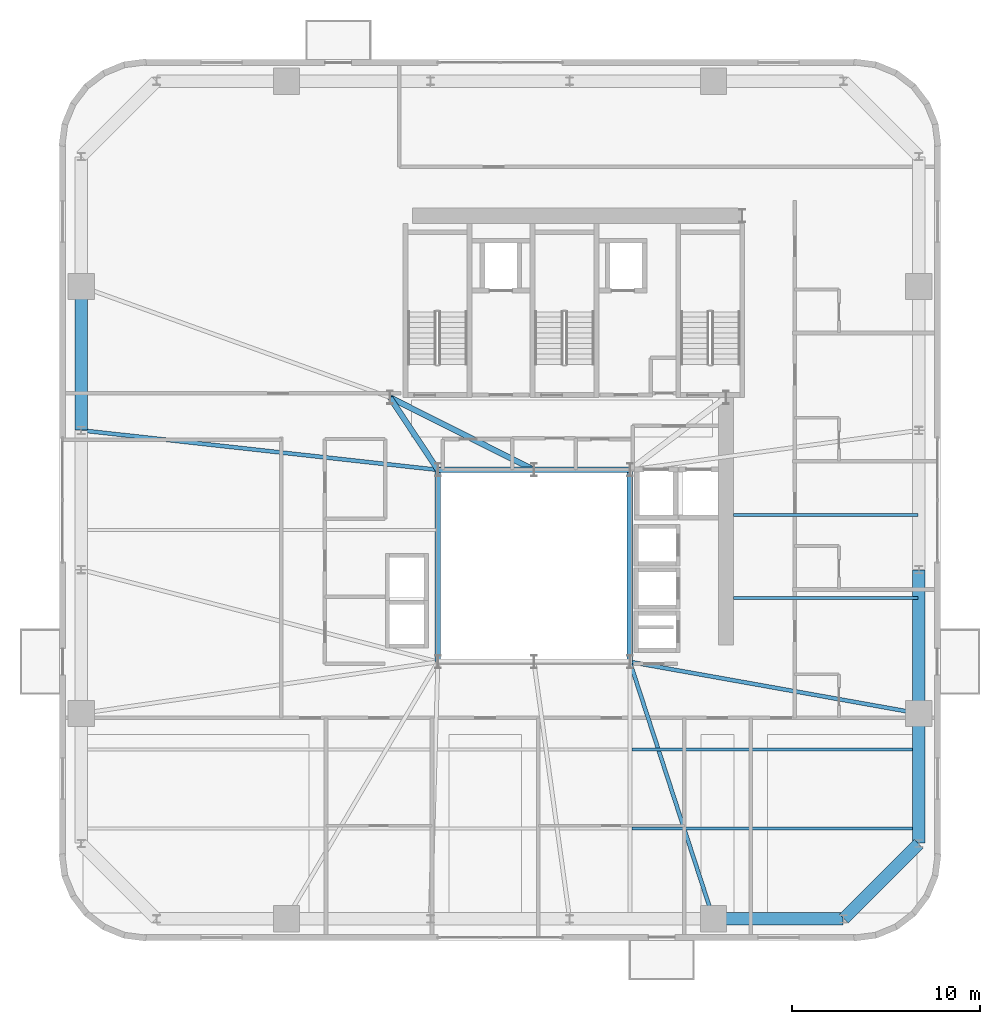
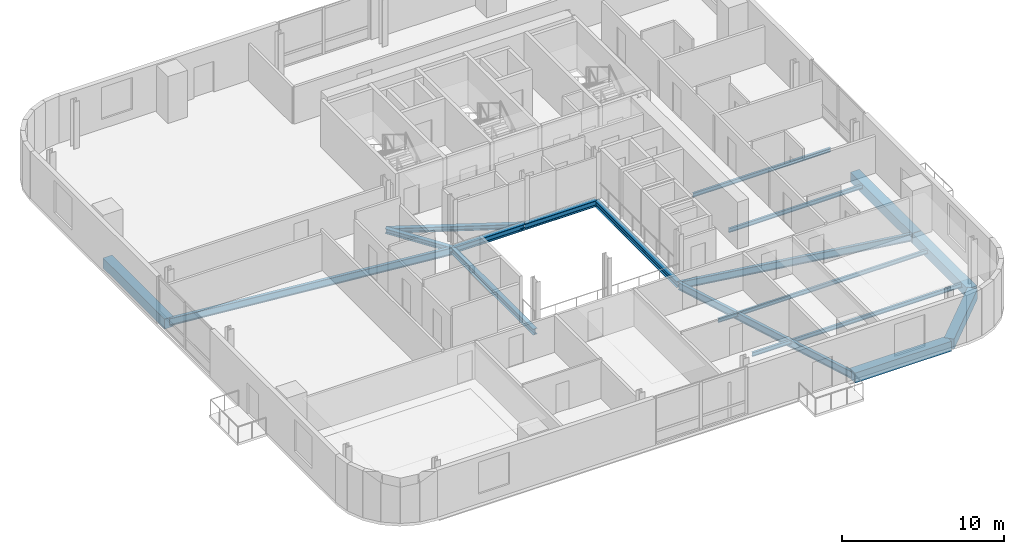
# One storey, part 4 of 15: 18 beams.
"""IFC4 building model written with IfcOpenShell, lengths in metres."""

import ifcopenshell
import ifcopenshell.guid

model = None  # the IFC model being written
_history = None  # IfcOwnerHistory: only IFC2X3 demands one
_inside = {}  # id of a spatial element -> (the spatial element, [elements in it])
_under = {}  # id of a project, library or spatial element -> (it, [spatial elements below it])
_declared = {}  # id of a project -> (the project, [libraries it declares])
_typed = {}  # id of a type object -> (the type object, [elements of that type])
_made_of = {}  # id of a material, layer set ... -> (it, [elements and type objects made of it])


def new_model(schema):
    """Start an empty IFC model of exactly this schema.

    Asked for "IFC4X3", IfcOpenShell would pick the latest addendum, in which some entities
    have other attributes; the version numbers below select the first issue.
    IFC2X3 requires an IfcOwnerHistory on every rooted entity: one is made here for all.
    """
    global model, _history
    if schema == "IFC4X3":
        model = ifcopenshell.file(schema_version=(4, 3, 0, 0))
    else:
        model = ifcopenshell.file(schema=schema)
    _inside.clear()
    _under.clear()
    _declared.clear()
    _typed.clear()
    _made_of.clear()
    _history = None
    if model.schema == "IFC2X3":
        org = make("IfcOrganization", Name="unknown")
        user = make(
            "IfcPersonAndOrganization",
            ThePerson=make("IfcPerson", FamilyName="unknown"),
            TheOrganization=org,
        )
        app = make(
            "IfcApplication",
            ApplicationDeveloper=org,
            Version="unknown",
            ApplicationFullName="unknown",
            ApplicationIdentifier="unknown",
        )
        _history = make(
            "IfcOwnerHistory",
            OwningUser=user,
            OwningApplication=app,
            ChangeAction="ADDED",
            CreationDate=0,
        )
    return model


def make(cls, **values):
    """One entity of the class cls with the attributes given. An attribute that is None is left unset."""
    return model.create_entity(
        cls, **{name: value for name, value in values.items() if value is not None}
    )


def rooted(cls, **values):
    """An entity with a GlobalId (a new one), such as an element, a storey or a relation."""
    return make(cls, GlobalId=ifcopenshell.guid.new(), OwnerHistory=_history, **values)


def si_unit(unit_type, name, prefix=None):
    """IfcSIUnit, for example si_unit("LENGTHUNIT", "METRE", prefix="MILLI")."""
    return make("IfcSIUnit", UnitType=unit_type, Prefix=prefix, Name=name)


def assignment(units):
    """IfcUnitAssignment: the units of a project."""
    return None if units is None else make("IfcUnitAssignment", Units=units)


def point(xyz):
    """IfcCartesianPoint."""
    return None if xyz is None else make("IfcCartesianPoint", Coordinates=xyz)


def direction(xyz):
    """IfcDirection."""
    return None if xyz is None else make("IfcDirection", DirectionRatios=xyz)


def frame(location, z_axis=None, x_axis=None):
    """IfcAxis2Placement3D, a coordinate frame: its origin and axes. An axis left out is left unset."""
    return make(
        "IfcAxis2Placement3D",
        Location=point(location),
        Axis=direction(z_axis),
        RefDirection=direction(x_axis),
    )


def frame_2d(location, x_axis=None):
    """IfcAxis2Placement2D, a coordinate frame in the plane: its origin and x axis."""
    return make(
        "IfcAxis2Placement2D", Location=point(location), RefDirection=direction(x_axis)
    )


def origin():
    """The frame at (0, 0, 0) with its axes left unset."""
    return frame((0.0, 0.0, 0.0))


def origin_2d():
    """The frame at (0, 0) in the plane with its x axis left unset."""
    return frame_2d((0.0, 0.0))


def place(relative_to, where):
    """IfcLocalPlacement: puts the frame where relative to a parent placement (None: the world)."""
    return make(
        "IfcLocalPlacement", PlacementRelTo=relative_to, RelativePlacement=where
    )


def context(
    kind, dimensions, precision=None, world=None, true_north=None, identifier=None
):
    """IfcGeometricRepresentationContext, for example the 3D "Model" context."""
    return make(
        "IfcGeometricRepresentationContext",
        ContextIdentifier=identifier,
        ContextType=kind,
        CoordinateSpaceDimension=dimensions,
        Precision=precision,
        WorldCoordinateSystem=world,
        TrueNorth=true_north,
    )


def subcontext(parent, identifier, kind, view, scale=None):
    """IfcGeometricRepresentationSubContext, for example "Body" below "Model"."""
    return make(
        "IfcGeometricRepresentationSubContext",
        ContextIdentifier=identifier,
        ContextType=kind,
        ParentContext=parent,
        TargetScale=scale,
        TargetView=view,
    )


def project(units=None, contexts=None):
    """IfcProject with its units and contexts."""
    return rooted(
        "IfcProject",
        Name="project",
        RepresentationContexts=contexts,
        UnitsInContext=assignment(units),
    )


def spatial(cls, under=None, at=None, **own):
    """A site, building, storey or space (cls), placed at a placement, below another one or the project."""
    s = rooted(cls, ObjectPlacement=at, **own)
    if under is not None:
        _under.setdefault(under.id(), (under, []))[1].append(s)
    return s


def profile(cls, at=None, kind="AREA", **sizes):
    """A parametric profile (cls). Its sizes go by their IFC names, for example OverallWidth=200.0."""
    return make(cls, ProfileType=kind, Position=at, **sizes)


def rectangle(**sizes):
    """IfcRectangleProfileDef."""
    return profile("IfcRectangleProfileDef", **sizes)


def i_section(**sizes):
    """IfcIShapeProfileDef."""
    return profile("IfcIShapeProfileDef", **sizes)


def extrude(swept, where, along, depth):
    """IfcExtrudedAreaSolid: the profile swept, set in the frame where, extruded along a direction by depth."""
    return make(
        "IfcExtrudedAreaSolid",
        SweptArea=swept,
        Position=where,
        ExtrudedDirection=direction(along),
        Depth=depth,
    )


def shape(context_of_items, identifier, shape_type, items):
    """IfcShapeRepresentation: the items that make up one representation, for example the "Body"."""
    return make(
        "IfcShapeRepresentation",
        ContextOfItems=context_of_items,
        RepresentationIdentifier=identifier,
        RepresentationType=shape_type,
        Items=items,
    )


def source(mapping_origin, context_of_items, identifier, shape_type, items):
    """IfcRepresentationMap: a shape defined once, which mapped items show again and again."""
    return make(
        "IfcRepresentationMap",
        MappingOrigin=mapping_origin,
        MappedRepresentation=shape(context_of_items, identifier, shape_type, items),
    )


def transform(
    local_origin,
    x_axis=None,
    y_axis=None,
    z_axis=None,
    scale=None,
    scale2=None,
    scale3=None,
    uniform=True,
):
    """IfcCartesianTransformationOperator3D, or its non-uniform kind. x_axis, y_axis, z_axis: its Axis1, 2, 3."""
    if uniform:
        return make(
            "IfcCartesianTransformationOperator3D",
            Axis1=direction(x_axis),
            Axis2=direction(y_axis),
            LocalOrigin=point(local_origin),
            Scale=scale,
            Axis3=direction(z_axis),
        )
    return make(
        "IfcCartesianTransformationOperator3DnonUniform",
        Axis1=direction(x_axis),
        Axis2=direction(y_axis),
        LocalOrigin=point(local_origin),
        Scale=scale,
        Axis3=direction(z_axis),
        Scale2=scale2,
        Scale3=scale3,
    )


def mapped(mapping_source, mapping_target):
    """IfcMappedItem: shows the shape of a source again, moved by a transform."""
    return make(
        "IfcMappedItem", MappingSource=mapping_source, MappingTarget=mapping_target
    )


def material(Name=None, Category=None):
    """IfcMaterial."""
    return make("IfcMaterial", Name=Name, Category=Category)


def material_profile(
    of_material, cross_section, Name=None, Category=None, Priority=None
):
    """IfcMaterialProfile: a cross section and its material."""
    return make(
        "IfcMaterialProfile",
        Name=Name,
        Material=of_material,
        Profile=cross_section,
        Priority=Priority,
        Category=Category,
    )


def profile_set(profiles, Name=None, composite=None):
    """IfcMaterialProfileSet."""
    return make(
        "IfcMaterialProfileSet",
        Name=Name,
        MaterialProfiles=profiles,
        CompositeProfile=composite,
    )


def made_of(thing, what):
    """Note that an element or type object is made of a material, layer set ...; save() writes the relation."""
    if what is not None:
        _made_of.setdefault(what.id(), (what, []))[1].append(thing)
    return thing


def type_object(cls, material=None, **own):
    """A type object (cls), such as IfcWallType, which elements share."""
    return made_of(rooted(cls, **own), material)


def element(
    cls,
    number,
    at=None,
    inside=None,
    cuts=None,
    type_object=None,
    material=None,
    context=None,
    identifier="Body",
    shape_type=None,
    held_by="IfcProductDefinitionShape",
    body=None,
    shapes=None,
    **own,
):
    """One element of the class cls, such as IfcWall. Its Tag is "e" and its number.

    at: its placement. inside: the storey or other place that contains it. cuts: it is an
    opening in that element (IfcRelVoidsElement). A single representation is given by context,
    identifier, shape_type and body (its items); several are given by shapes. held_by: the class
    of the entity that holds the representations. save() writes the other relations.
    """
    e = rooted(cls, Tag="e%d" % number, ObjectPlacement=at, **own)
    if body is not None:
        shapes = [shape(context, identifier, shape_type, body)]
    if shapes is not None:
        e.Representation = make(held_by, Representations=shapes)
    if inside is not None:
        _inside.setdefault(inside.id(), (inside, []))[1].append(e)
    if cuts is not None:
        rooted(
            "IfcRelVoidsElement", RelatingBuildingElement=cuts, RelatedOpeningElement=e
        )
    if type_object is not None:
        _typed.setdefault(type_object.id(), (type_object, []))[1].append(e)
    return made_of(e, material)


def aggregate(whole, parts):
    """IfcRelAggregates: a whole, such as a stair, and the parts it consists of."""
    return rooted("IfcRelAggregates", RelatingObject=whole, RelatedObjects=parts)


def save(model, path):
    """Write the relations noted so far, then the file.

    IfcRelAggregates (storeys below a building ...), IfcRelContainedInSpatialStructure (elements
    in a storey), IfcRelDefinesByType, IfcRelAssociatesMaterial and IfcRelDeclares: one each for
    every whole, place, type object, material and project.
    """
    for whole, parts in _under.values():
        aggregate(whole, parts)
    for where, things in _inside.values():
        rooted(
            "IfcRelContainedInSpatialStructure",
            RelatedElements=things,
            RelatingStructure=where,
        )
    for kind, things in _typed.values():
        rooted("IfcRelDefinesByType", RelatedObjects=things, RelatingType=kind)
    for what, things in _made_of.values():
        rooted("IfcRelAssociatesMaterial", RelatedObjects=things, RelatingMaterial=what)
    for by, libraries in _declared.values():
        rooted("IfcRelDeclares", RelatingContext=by, RelatedDefinitions=libraries)
    model.write(path)


model = new_model("IFC4")

# Units and contexts
model_context = context("Model", 3, precision=1e-05, world=origin(), true_north=direction((0.0, 1.0)))
body_context = subcontext(model_context, "Body", "Model", "MODEL_VIEW")
ifc_project = project(units=[si_unit("LENGTHUNIT", "METRE"), si_unit("AREAUNIT", "SQUARE_METRE"), si_unit("VOLUMEUNIT", "CUBIC_METRE"), si_unit("PLANEANGLEUNIT", "RADIAN"), si_unit("MASSUNIT", "GRAM", prefix="KILO")], contexts=[model_context])

# Site, building, storey
site_placement = place(None, origin())
site = spatial("IfcSite", under=ifc_project, at=site_placement, CompositionType="ELEMENT")
building_placement = place(site_placement, origin())
building = spatial("IfcBuilding", under=site, at=building_placement, Name="Vardaveli Station Tower", CompositionType="ELEMENT")
storey_placement = place(building_placement, frame((0.0, 0.0, 229.800048828125)))
storey = spatial("IfcBuildingStorey", under=building, at=storey_placement, Name="L59", CompositionType="ELEMENT", Elevation=229.800048828125)

# Beams
ifc_material_1 = material(Name="Structural steel S355J2", Category="steel")
ifc_material_profile_1 = material_profile(ifc_material_1, i_section(OverallWidth=0.300048828125, OverallDepth=0.449951171875, WebThickness=0.013916015625, FlangeThickness=0.02587890625, FilletRadius=0.027099609375, at=origin_2d()), Name="HEB 450")
ifc_profile_set_1 = profile_set([ifc_material_profile_1], Name="Structural steel S355J2")
beam_type_1 = type_object("IfcBeamType", Name="BM-HEB450", PredefinedType="BEAM", material=ifc_profile_set_1)
shared_shape_1 = source(origin(), body_context, "Body", "SweptSolid", [
    extrude(i_section(OverallWidth=0.300048828125, OverallDepth=0.449951171875, WebThickness=0.013916015625, FlangeThickness=0.02587890625, FilletRadius=0.027099609375, at=origin_2d()), origin(), (0.0, 0.0, 1.0), 5.06005859375),
])
beam_1_placement = place(storey_placement, frame((36.280029296875, 26.800048828125, -0.445068359375), z_axis=(-1.0, 0.0, 0.0), x_axis=(0.0, -1.0, 0.0)))
element("IfcBeam", 1, at=beam_1_placement, inside=storey, type_object=beam_type_1, Name="ABM-L59-05", PredefinedType="BEAM", context=body_context, shape_type="MappedRepresentation", body=[
    mapped(shared_shape_1, transform((0.0, 0.0, 0.0), scale=1.0)),
])
shared_shape_2 = source(origin(), body_context, "Body", "SweptSolid", [
    extrude(i_section(OverallWidth=0.300048828125, OverallDepth=0.449951171875, WebThickness=0.013916015625, FlangeThickness=0.02587890625, FilletRadius=0.027099609375, at=origin_2d()), origin(), (0.0, 0.0, 1.0), 5.059814453125),
])
beam_2_placement = place(storey_placement, frame((41.3798828125, 26.800048828125, -0.445068359375), z_axis=(-1.0, 0.0, 0.0), x_axis=(0.0, -1.0, 0.0)))
element("IfcBeam", 2, at=beam_2_placement, inside=storey, type_object=beam_type_1, Name="ABM-L59-04", PredefinedType="BEAM", context=body_context, shape_type="MappedRepresentation", body=[
    mapped(shared_shape_2, transform((0.0, 0.0, 0.0), scale=1.0)),
])
shared_shape_3 = source(origin(), body_context, "Body", "SweptSolid", [
    extrude(i_section(OverallWidth=0.300048828125, OverallDepth=0.449951171875, WebThickness=0.013916015625, FlangeThickness=0.02587890625, FilletRadius=0.027099609375, at=origin_2d()), origin(), (0.0, 0.0, 1.0), 10.159912109375),
])
for number, where, z_axis, x_axis, name in (
    (3, (41.39990234375, 16.6201171875, -0.445068359375), (0.0, 1.0, 0.0), (-1.0, 0.0, 0.0), "ABM-L59-03"),
    (4, (31.199951171875, 26.780029296875, -0.445068359375), (0.0, -1.0, 0.0), (1.0, 0.0, 0.0), "ABM-L59-06"),
):
    element("IfcBeam", number, at=place(storey_placement, frame(where, z_axis=z_axis, x_axis=x_axis)), inside=storey, type_object=beam_type_1, Name=name, PredefinedType="BEAM", context=body_context, shape_type="MappedRepresentation", body=[
        mapped(shared_shape_3, transform((0.0, 0.0, 0.0), scale=1.0)),
    ])
ifc_material_profile_2 = material_profile(ifc_material_1, i_section(OverallWidth=0.300048828125, OverallDepth=0.360107421875, WebThickness=0.012451171875, FlangeThickness=0.0224609375, FilletRadius=0.027099609375, at=origin_2d()), Name="HEB 360")
ifc_profile_set_2 = profile_set([ifc_material_profile_2], Name="Structural steel S355J2")
beam_type_2 = type_object("IfcBeamType", Name="BM-HEB360", PredefinedType="BEAM", material=ifc_profile_set_2)
shared_shape_4 = source(origin(), body_context, "Body", "SweptSolid", [
    extrude(i_section(OverallWidth=0.300048828125, OverallDepth=0.360107421875, WebThickness=0.012451171875, FlangeThickness=0.0224609375, FilletRadius=0.027099609375, at=origin_2d()), origin(), (0.0, 0.0, 1.0), 4.577880859375),
])
beam_3_placement = place(storey_placement, frame((31.18896484375, 26.816650390625, -0.400146484375), z_axis=(-0.55218702139, 0.833720272879, 0.0), x_axis=(-0.833720272879, -0.55218702139, 0.0)))
element("IfcBeam", 5, at=beam_3_placement, inside=storey, type_object=beam_type_2, Name="CBM-L59-01", PredefinedType="BEAM", context=body_context, shape_type="MappedRepresentation", body=[
    mapped(shared_shape_4, transform((0.0, 0.0, 0.0), scale=1.0)),
])
shared_shape_5 = source(origin(), body_context, "Body", "SweptSolid", [
    extrude(i_section(OverallWidth=0.300048828125, OverallDepth=0.360107421875, WebThickness=0.012451171875, FlangeThickness=0.0224609375, FilletRadius=0.027099609375, at=origin_2d()), origin(), (0.0, 0.0, 1.0), 8.524169921875),
])
beam_4_placement = place(storey_placement, frame((28.66796875, 30.64111328125, -0.400146484375), z_axis=(0.893255584708, -0.449549174605, 0.0), x_axis=(0.449549174605, 0.893255584708, 0.0)))
element("IfcBeam", 6, at=beam_4_placement, inside=storey, type_object=beam_type_2, Name="CBM-L59-03", PredefinedType="BEAM", context=body_context, shape_type="MappedRepresentation", body=[
    mapped(shared_shape_5, transform((0.0, 0.0, 0.0), scale=1.0)),
])
ifc_material_2 = material(Name="Precast concrete C45/55", Category="concrete")
ifc_material_profile_3 = material_profile(ifc_material_2, rectangle(XDim=0.64990234375, YDim=0.75, at=origin_2d()), Name="LPB 650x750")
ifc_profile_set_3 = profile_set([ifc_material_profile_3], Name="Precast concrete C45/55")
beam_type_3 = type_object("IfcBeamType", Name="BM-LPB-750", PredefinedType="BEAM", material=ifc_profile_set_3)
shared_shape_6 = source(origin(), body_context, "Body", "SweptSolid", [
    extrude(rectangle(XDim=0.64990234375, YDim=0.75, at=origin_2d()), origin(), (0.0, 0.0, 1.0), 7.60009765625),
])
for number, where, z_axis, x_axis, name in (
    (7, (56.75, 13.8798828125, -0.594970703125), (0.0, 1.0, 0.0), (-1.0, 0.0, 0.0), "RBM-L59-07"),
    (8, (12.25, 36.52001953125, -0.594970703125), (0.0, -1.0, 0.0), (1.0, 0.0, 0.0), "RBM-L59-19"),
):
    element("IfcBeam", number, at=place(storey_placement, frame(where, z_axis=z_axis, x_axis=x_axis)), inside=storey, type_object=beam_type_3, Name=name, PredefinedType="BEAM", context=body_context, shape_type="MappedRepresentation", body=[
        mapped(shared_shape_6, transform((0.0, 0.0, 0.0), scale=1.0)),
    ])
shared_shape_7 = source(origin(), body_context, "Body", "SweptSolid", [
    extrude(rectangle(XDim=0.64990234375, YDim=0.75, at=origin_2d()), origin(), (0.0, 0.0, 1.0), 6.869873046875),
])
beam_5_placement = place(storey_placement, frame((45.860107421875, 2.949951171875, -0.594970703125), z_axis=(1.0, 0.0, 0.0), x_axis=(0.0, 1.0, 0.0)))
element("IfcBeam", 9, at=beam_5_placement, inside=storey, type_object=beam_type_3, Name="RBM-L59-04", PredefinedType="BEAM", context=body_context, shape_type="MappedRepresentation", body=[
    mapped(shared_shape_7, transform((0.0, 0.0, 0.0), scale=1.0)),
])
shared_shape_8 = source(origin(), body_context, "Body", "SweptSolid", [
    extrude(rectangle(XDim=0.64990234375, YDim=0.75, at=origin_2d()), origin(), (0.0, 0.0, 1.0), 5.61669921875),
])
beam_6_placement = place(storey_placement, frame((52.76416015625, 2.964111328125, -0.594970703125), z_axis=(0.707106781187, 0.707106781187, 0.0), x_axis=(-0.707106781187, 0.707106781187, 0.0)))
element("IfcBeam", 10, at=beam_6_placement, inside=storey, type_object=beam_type_3, Name="RBM-L59-05", PredefinedType="BEAM", context=body_context, shape_type="MappedRepresentation", body=[
    mapped(shared_shape_8, transform((0.0, 0.0, 0.0), scale=1.0)),
])
shared_shape_9 = source(origin(), body_context, "Body", "SweptSolid", [
    extrude(rectangle(XDim=0.64990234375, YDim=0.75, at=origin_2d()), origin(), (0.0, 0.0, 1.0), 6.8701171875),
])
beam_7_placement = place(storey_placement, frame((56.75, 6.969970703125, -0.594970703125), z_axis=(0.0, 1.0, 0.0), x_axis=(-1.0, 0.0, 0.0)))
element("IfcBeam", 11, at=beam_7_placement, inside=storey, type_object=beam_type_3, Name="RBM-L59-06", PredefinedType="BEAM", context=body_context, shape_type="MappedRepresentation", body=[
    mapped(shared_shape_9, transform((0.0, 0.0, 0.0), scale=1.0)),
])
ifc_material_profile_4 = material_profile(ifc_material_1, i_section(OverallWidth=0.2099609375, OverallDepth=0.550048828125, WebThickness=0.010986328125, FlangeThickness=0.01708984375, FilletRadius=0.02392578125, at=origin_2d()), Name="IPE 550")
ifc_profile_set_4 = profile_set([ifc_material_profile_4], Name="Structural steel S355J2")
beam_type_4 = type_object("IfcBeamType", Name="BM-IPE550", PredefinedType="BEAM", material=ifc_profile_set_4)
shared_shape_10 = source(origin(), body_context, "Body", "SweptSolid", [
    extrude(i_section(OverallWidth=0.2099609375, OverallDepth=0.550048828125, WebThickness=0.010986328125, FlangeThickness=0.01708984375, FilletRadius=0.02392578125, at=origin_2d()), origin(), (0.0, 0.0, 1.0), 14.31396484375),
])
beam_8_placement = place(storey_placement, frame((45.833740234375, 2.968994140625, -0.4951171875), z_axis=(-0.309311678023, 0.950960717295, 0.0), x_axis=(-0.950960717295, -0.309311678023, 0.0)))
element("IfcBeam", 12, at=beam_8_placement, inside=storey, type_object=beam_type_4, Name="GBM-L59-04", PredefinedType="BEAM", context=body_context, shape_type="MappedRepresentation", body=[
    mapped(shared_shape_10, transform((0.0, 0.0, 0.0), scale=1.0)),
])
shared_shape_11 = source(origin(), body_context, "Body", "SweptSolid", [
    extrude(i_section(OverallWidth=0.2099609375, OverallDepth=0.550048828125, WebThickness=0.010986328125, FlangeThickness=0.01708984375, FilletRadius=0.02392578125, at=origin_2d()), origin(), (0.0, 0.0, 1.0), 15.552490234375),
])
beam_9_placement = place(storey_placement, frame((56.730224609375, 13.863525390625, -0.4951171875), z_axis=(-0.984439991578, 0.1757210943, 0.0), x_axis=(-0.1757210943, -0.984439991578, 0.0)))
element("IfcBeam", 13, at=beam_9_placement, inside=storey, type_object=beam_type_4, Name="GBM-L59-05", PredefinedType="BEAM", context=body_context, shape_type="MappedRepresentation", body=[
    mapped(shared_shape_11, transform((0.0, 0.0, 0.0), scale=1.0)),
])
shared_shape_12 = source(origin(), body_context, "Body", "SweptSolid", [
    extrude(i_section(OverallWidth=0.2099609375, OverallDepth=0.550048828125, WebThickness=0.010986328125, FlangeThickness=0.01708984375, FilletRadius=0.02392578125, at=origin_2d()), origin(), (0.0, 0.0, 1.0), 19.026123046875),
])
beam_10_placement = place(storey_placement, frame((12.269775390625, 28.897705078125, -0.4951171875), z_axis=(0.993916552721, -0.110135762707, 0.0), x_axis=(0.110135762707, 0.993916552721, 0.0)))
element("IfcBeam", 14, at=beam_10_placement, inside=storey, type_object=beam_type_4, Name="GBM-L59-08", PredefinedType="BEAM", context=body_context, shape_type="MappedRepresentation", body=[
    mapped(shared_shape_12, transform((0.0, 0.0, 0.0), scale=1.0)),
])
ifc_material_profile_5 = material_profile(ifc_material_1, i_section(OverallWidth=0.14990234375, OverallDepth=0.300048828125, WebThickness=0.007080078125, FlangeThickness=0.0107421875, FilletRadius=0.014892578125, at=origin_2d()), Name="IPE 300")
ifc_profile_set_5 = profile_set([ifc_material_profile_5], Name="Structural steel S355J2")
beam_type_5 = type_object("IfcBeamType", Name="BM-IPE300", PredefinedType="JOIST", material=ifc_profile_set_5)
shared_shape_13 = source(origin(), body_context, "Body", "SweptSolid", [
    extrude(i_section(OverallWidth=0.14990234375, OverallDepth=0.300048828125, WebThickness=0.007080078125, FlangeThickness=0.0107421875, FilletRadius=0.014892578125, at=origin_2d()), origin(), (0.0, 0.0, 1.0), 15.197998046875),
])
for number, where, z_axis, x_axis, name in (
    (15, (41.511962890625, 7.75, -0.3701171875), (1.0, 0.0, 0.0), (0.0, 1.0, 0.0), "SJ-L59-S02"),
    (16, (41.511962890625, 11.949951171875, -0.3701171875), (1.0, 0.0, 0.0), (0.0, 1.0, 0.0), "SJ-L59-S04"),
):
    element("IfcBeam", number, at=place(storey_placement, frame(where, z_axis=z_axis, x_axis=x_axis)), inside=storey, type_object=beam_type_5, Name=name, PredefinedType="JOIST", context=body_context, shape_type="MappedRepresentation", body=[
        mapped(shared_shape_13, transform((0.0, 0.0, 0.0), scale=1.0)),
    ])
shared_shape_14 = source(origin(), body_context, "Body", "SweptSolid", [
    extrude(i_section(OverallWidth=0.14990234375, OverallDepth=0.300048828125, WebThickness=0.007080078125, FlangeThickness=0.0107421875, FilletRadius=0.014892578125, at=origin_2d()), origin(), (0.0, 0.0, 1.0), 9.804931640625),
])
for number, where, z_axis, x_axis, name in (
    (17, (46.905029296875, 20.0, -0.3701171875), (1.0, 0.0, 0.0), (0.0, 1.0, 0.0), "SJ-L59-E07"),
    (18, (46.905029296875, 24.39990234375, -0.3701171875), (1.0, 0.0, 0.0), (0.0, 1.0, 0.0), "SJ-L59-E08"),
):
    element("IfcBeam", number, at=place(storey_placement, frame(where, z_axis=z_axis, x_axis=x_axis)), inside=storey, type_object=beam_type_5, Name=name, PredefinedType="JOIST", context=body_context, shape_type="MappedRepresentation", body=[
        mapped(shared_shape_14, transform((0.0, 0.0, 0.0), scale=1.0)),
    ])

save(model, "model.ifc")
